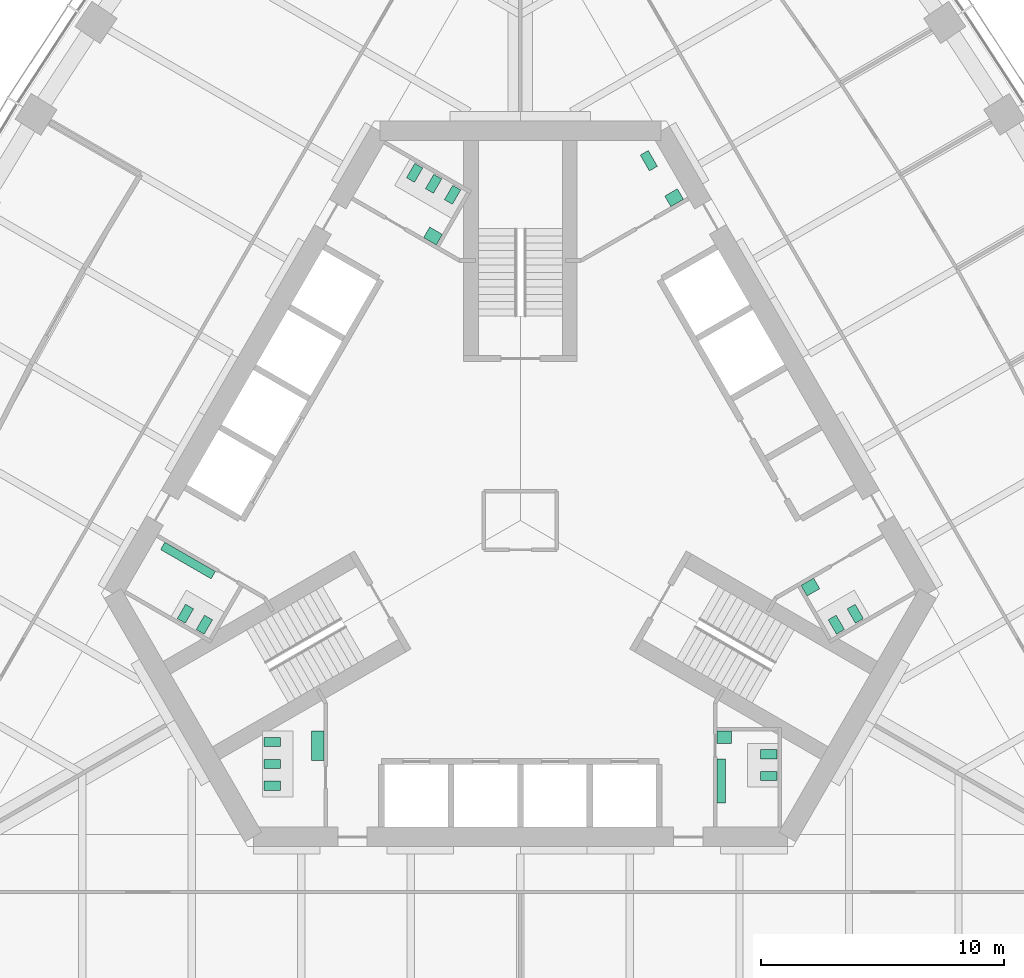
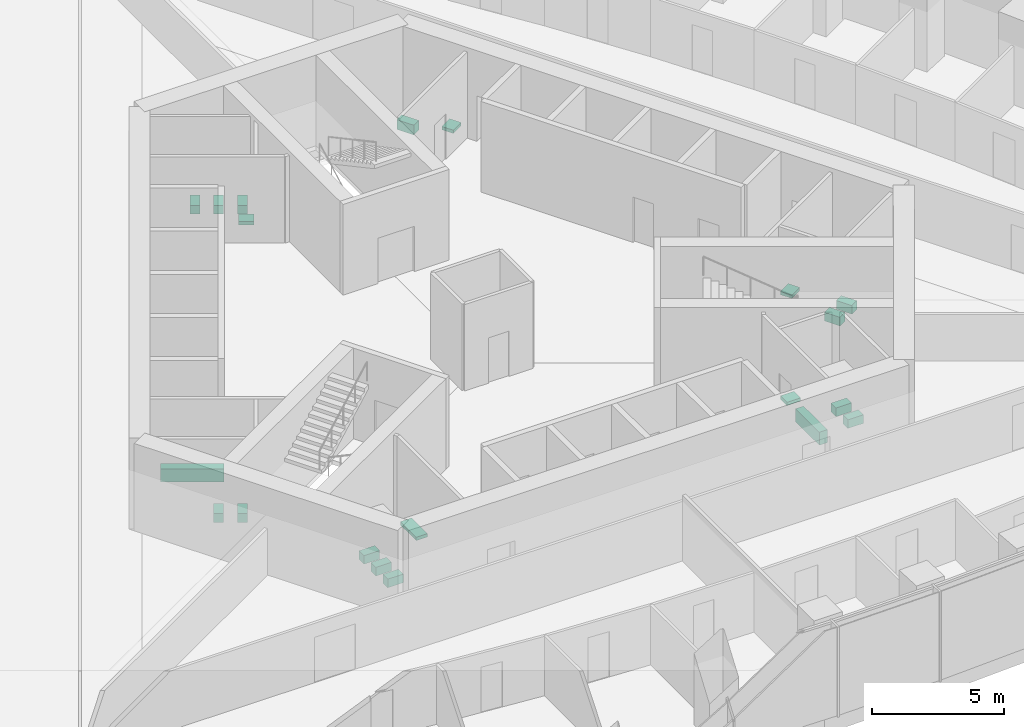
# One storey, part 20 of 21: 20 sanitary terminals.
"""IFC4 building model written with IfcOpenShell, lengths in metres."""

from ifc_helpers import new_model, si_unit, direction, frame, origin, place, context, subcontext, project, spatial, polyline, outline, extrude, material, type_object, element, save


model = new_model("IFC4")

# Units and contexts
model_context = context("Model", 3, precision=1e-05, world=origin(), true_north=direction((0.0, 1.0)))
body_context = subcontext(model_context, "Body", "Model", "MODEL_VIEW")
ifc_project = project(units=[si_unit("LENGTHUNIT", "METRE"), si_unit("AREAUNIT", "SQUARE_METRE"), si_unit("VOLUMEUNIT", "CUBIC_METRE"), si_unit("PLANEANGLEUNIT", "RADIAN"), si_unit("MASSUNIT", "GRAM", prefix="KILO")], contexts=[model_context])

# Site, building, storey
site_placement = place(None, origin())
site = spatial("IfcSite", under=ifc_project, at=site_placement, CompositionType="ELEMENT")
building_placement = place(site_placement, origin())
building = spatial("IfcBuilding", under=site, at=building_placement, Name="Trefoil Bronze Tower", CompositionType="ELEMENT")
storey_placement = place(building_placement, frame((0.0, 0.0, 149.300048828125)))
storey = spatial("IfcBuildingStorey", under=building, at=storey_placement, Name="L34", CompositionType="ELEMENT", Elevation=149.300048828125)

# Sanitary terminals
ifc_material_1 = material(Name="Vitreous china", Category="ceramic")
sanitary_terminal_type_1 = type_object("IfcSanitaryTerminalType", Name="Accessible WC pan", PredefinedType="TOILETPAN", material=ifc_material_1)
sanitary_terminal_1_placement = place(storey_placement, origin())
element("IfcSanitaryTerminal", 1, at=sanitary_terminal_1_placement, inside=storey, type_object=sanitary_terminal_type_1, Name="WC pan 1 Accessible WC L34", PredefinedType="TOILETPAN", context=body_context, shape_type="SweptSolid", body=[
    extrude(outline(polyline([(5.300537109375, 14.359130859375), (4.925537109375, 15.008544921875), (5.254638671875, 15.198486328125), (5.629638671875, 14.549072265625), (5.300537109375, 14.359130859375)])), origin(), (0.0, 0.0, 1.0), 0.449951171875),
])
ifc_material_2 = material(Name="Vitreous china", Category="ceramic")
sanitary_terminal_type_2 = type_object("IfcSanitaryTerminalType", Name="Accessible basin", PredefinedType="WASHHANDBASIN", material=ifc_material_2)
sanitary_terminal_2_placement = place(storey_placement, frame((0.0, 0.0, 0.64990234375)))
element("IfcSanitaryTerminal", 2, at=sanitary_terminal_2_placement, inside=storey, type_object=sanitary_terminal_type_2, Name="Wash basin Accessible WC L34", PredefinedType="WASHHANDBASIN", context=body_context, shape_type="SweptSolid", body=[
    extrude(outline(polyline([(6.181640625, 12.89306640625), (5.931640625, 13.326171875), (6.451171875, 13.626220703125), (6.701171875, 13.193115234375), (6.181640625, 12.89306640625)])), origin(), (0.0, 0.0, 1.0), 0.150146484375),
])
ifc_material_3 = material(Name="Vitreous china", Category="ceramic")
sanitary_terminal_type_3 = type_object("IfcSanitaryTerminalType", Name="Urinal range 3 urinals", PredefinedType="URINAL", material=ifc_material_3)
sanitary_terminal_3_placement = place(storey_placement, frame((0.0, 0.0, 0.39990234375)))
element("IfcSanitaryTerminal", 3, at=sanitary_terminal_3_placement, inside=storey, type_object=sanitary_terminal_type_3, Name="Urinal range WC (men) L34", PredefinedType="URINAL", context=body_context, shape_type="SweptSolid", body=[
    extrude(outline(polyline([(8.074951171875, -9.800048828125), (8.425048828125, -9.800048828125), (8.425048828125, -11.60009765625), (8.074951171875, -11.60009765625), (8.074951171875, -9.800048828125)])), origin(), (0.0, 0.0, 1.0), 0.60009765625),
])
ifc_material_4 = material(Name="Vitreous china", Category="ceramic")
sanitary_terminal_type_4 = type_object("IfcSanitaryTerminalType", Name="Urinal range 4 urinals", PredefinedType="URINAL", material=ifc_material_4)
sanitary_terminal_4_placement = place(storey_placement, frame((0.0, 0.0, 0.39990234375)))
element("IfcSanitaryTerminal", 4, at=sanitary_terminal_4_placement, inside=storey, type_object=sanitary_terminal_type_4, Name="Urinal range WC (men) L34", PredefinedType="URINAL", context=body_context, shape_type="SweptSolid", body=[
    extrude(outline(polyline([(-12.524658203125, -2.09326171875), (-12.699462890625, -2.396240234375), (-14.778076171875, -1.1962890625), (-14.60302734375, -0.89306640625), (-12.524658203125, -2.09326171875)])), origin(), (0.0, 0.0, 1.0), 0.60009765625),
])
ifc_material_5 = material(Name="Solid surface vanity", Category="plastic")
sanitary_terminal_type_5 = type_object("IfcSanitaryTerminalType", Name="Vanity unit 1 basins", PredefinedType="WASHHANDBASIN", material=ifc_material_5)
sanitary_terminal_5_placement = place(storey_placement, frame((0.0, 0.0, 0.75)))
element("IfcSanitaryTerminal", 5, at=sanitary_terminal_5_placement, inside=storey, type_object=sanitary_terminal_type_5, Name="Vanity unit WC (men) L34", PredefinedType="WASHHANDBASIN", context=body_context, shape_type="SweptSolid", body=[
    extrude(outline(polyline([(8.074951171875, -8.64990234375), (8.675048828125, -8.64990234375), (8.675048828125, -9.14990234375), (8.074951171875, -9.14990234375), (8.074951171875, -8.64990234375)])), origin(), (0.0, 0.0, 1.0), 0.14990234375),
])
sanitary_terminal_6_placement = place(storey_placement, frame((0.0, 0.0, 0.75)))
element("IfcSanitaryTerminal", 6, at=sanitary_terminal_6_placement, inside=storey, type_object=sanitary_terminal_type_5, Name="Vanity unit WC (women) L34", PredefinedType="WASHHANDBASIN", context=body_context, shape_type="SweptSolid", body=[
    extrude(outline(polyline([(11.528564453125, -2.668212890625), (11.778564453125, -3.10107421875), (12.29833984375, -2.80126953125), (12.04833984375, -2.3681640625), (11.528564453125, -2.668212890625)])), origin(), (0.0, 0.0, 1.0), 0.14990234375),
])
sanitary_terminal_7_placement = place(storey_placement, frame((0.0, 0.0, 0.75)))
element("IfcSanitaryTerminal", 7, at=sanitary_terminal_7_placement, inside=storey, type_object=sanitary_terminal_type_5, Name="Vanity unit WC (women) L34", PredefinedType="WASHHANDBASIN", context=body_context, shape_type="SweptSolid", body=[
    extrude(outline(polyline([(-3.45361328125, 11.318115234375), (-3.20361328125, 11.751220703125), (-3.72314453125, 12.05126953125), (-3.97314453125, 11.6181640625), (-3.45361328125, 11.318115234375)])), origin(), (0.0, 0.0, 1.0), 0.14990234375),
])
ifc_material_6 = material(Name="Solid surface vanity", Category="plastic")
sanitary_terminal_type_6 = type_object("IfcSanitaryTerminalType", Name="Vanity unit 2 basins", PredefinedType="WASHHANDBASIN", material=ifc_material_6)
sanitary_terminal_8_placement = place(storey_placement, frame((0.0, 0.0, 0.75)))
element("IfcSanitaryTerminal", 8, at=sanitary_terminal_8_placement, inside=storey, type_object=sanitary_terminal_type_6, Name="Vanity unit WC (women) L34", PredefinedType="WASHHANDBASIN", context=body_context, shape_type="SweptSolid", body=[
    extrude(outline(polyline([(-8.074951171875, -8.64990234375), (-8.574951171875, -8.64990234375), (-8.574951171875, -9.85009765625), (-8.074951171875, -9.85009765625), (-8.074951171875, -8.64990234375)])), origin(), (0.0, 0.0, 1.0), 0.14990234375),
])
ifc_material_7 = material(Name="Vitreous china", Category="ceramic")
sanitary_terminal_type_7 = type_object("IfcSanitaryTerminalType", Name="WC pan", PredefinedType="TOILETPAN", material=ifc_material_7)
sanitary_terminal_9_placement = place(storey_placement, origin())
element("IfcSanitaryTerminal", 9, at=sanitary_terminal_9_placement, inside=storey, type_object=sanitary_terminal_type_7, Name="WC pan 1 WC (men) L34", PredefinedType="TOILETPAN", context=body_context, shape_type="SweptSolid", body=[
    extrude(outline(polyline([(9.85498046875, -9.409912109375), (10.534912109375, -9.409912109375), (10.534912109375, -9.7900390625), (9.85498046875, -9.7900390625), (9.85498046875, -9.409912109375)])), origin(), (0.0, 0.0, 1.0), 0.39990234375),
])
sanitary_terminal_10_placement = place(storey_placement, origin())
element("IfcSanitaryTerminal", 10, at=sanitary_terminal_10_placement, inside=storey, type_object=sanitary_terminal_type_7, Name="WC pan 2 WC (men) L34", PredefinedType="TOILETPAN", context=body_context, shape_type="SweptSolid", body=[
    extrude(outline(polyline([(9.85498046875, -10.31005859375), (10.534912109375, -10.31005859375), (10.534912109375, -10.68994140625), (9.85498046875, -10.68994140625), (9.85498046875, -10.31005859375)])), origin(), (0.0, 0.0, 1.0), 0.39990234375),
])
sanitary_terminal_11_placement = place(storey_placement, origin())
element("IfcSanitaryTerminal", 11, at=sanitary_terminal_11_placement, inside=storey, type_object=sanitary_terminal_type_7, Name="WC pan 1 WC (women) L34", PredefinedType="TOILETPAN", context=body_context, shape_type="SweptSolid", body=[
    extrude(outline(polyline([(12.643798828125, -4.07958984375), (12.98388671875, -4.66845703125), (13.31298828125, -4.478515625), (12.972900390625, -3.8896484375), (12.643798828125, -4.07958984375)])), origin(), (0.0, 0.0, 1.0), 0.39990234375),
])
sanitary_terminal_12_placement = place(storey_placement, origin())
element("IfcSanitaryTerminal", 12, at=sanitary_terminal_12_placement, inside=storey, type_object=sanitary_terminal_type_7, Name="WC pan 2 WC (women) L34", PredefinedType="TOILETPAN", context=body_context, shape_type="SweptSolid", body=[
    extrude(outline(polyline([(13.423095703125, -3.629638671875), (13.76318359375, -4.218505859375), (14.09228515625, -4.028564453125), (13.752197265625, -3.439697265625), (13.423095703125, -3.629638671875)])), origin(), (0.0, 0.0, 1.0), 0.39990234375),
])
sanitary_terminal_13_placement = place(storey_placement, origin())
element("IfcSanitaryTerminal", 13, at=sanitary_terminal_13_placement, inside=storey, type_object=sanitary_terminal_type_7, Name="WC pan 1 WC (women) L34", PredefinedType="TOILETPAN", context=body_context, shape_type="SweptSolid", body=[
    extrude(outline(polyline([(-2.788818359375, 12.98974609375), (-2.44873046875, 13.57861328125), (-2.77783203125, 13.7685546875), (-3.117919921875, 13.1796875), (-2.788818359375, 12.98974609375)])), origin(), (0.0, 0.0, 1.0), 0.39990234375),
])
sanitary_terminal_14_placement = place(storey_placement, origin())
element("IfcSanitaryTerminal", 14, at=sanitary_terminal_14_placement, inside=storey, type_object=sanitary_terminal_type_7, Name="WC pan 2 WC (women) L34", PredefinedType="TOILETPAN", context=body_context, shape_type="SweptSolid", body=[
    extrude(outline(polyline([(-3.568115234375, 13.439697265625), (-3.228271484375, 14.028564453125), (-3.557373046875, 14.218505859375), (-3.897216796875, 13.629638671875), (-3.568115234375, 13.439697265625)])), origin(), (0.0, 0.0, 1.0), 0.39990234375),
])
sanitary_terminal_15_placement = place(storey_placement, origin())
element("IfcSanitaryTerminal", 15, at=sanitary_terminal_15_placement, inside=storey, type_object=sanitary_terminal_type_7, Name="WC pan 3 WC (women) L34", PredefinedType="TOILETPAN", context=body_context, shape_type="SweptSolid", body=[
    extrude(outline(polyline([(-4.34765625, 13.8896484375), (-4.007568359375, 14.478515625), (-4.336669921875, 14.66845703125), (-4.6767578125, 14.07958984375), (-4.34765625, 13.8896484375)])), origin(), (0.0, 0.0, 1.0), 0.39990234375),
])
sanitary_terminal_16_placement = place(storey_placement, origin())
element("IfcSanitaryTerminal", 16, at=sanitary_terminal_16_placement, inside=storey, type_object=sanitary_terminal_type_7, Name="WC pan 1 WC (men) L34", PredefinedType="TOILETPAN", context=body_context, shape_type="SweptSolid", body=[
    extrude(outline(polyline([(-12.643798828125, -4.07958984375), (-12.98388671875, -4.66845703125), (-13.31298828125, -4.478515625), (-12.972900390625, -3.8896484375), (-12.643798828125, -4.07958984375)])), origin(), (0.0, 0.0, 1.0), 0.39990234375),
])
sanitary_terminal_17_placement = place(storey_placement, origin())
element("IfcSanitaryTerminal", 17, at=sanitary_terminal_17_placement, inside=storey, type_object=sanitary_terminal_type_7, Name="WC pan 2 WC (men) L34", PredefinedType="TOILETPAN", context=body_context, shape_type="SweptSolid", body=[
    extrude(outline(polyline([(-13.423095703125, -3.629638671875), (-13.76318359375, -4.218505859375), (-14.09228515625, -4.028564453125), (-13.752197265625, -3.439697265625), (-13.423095703125, -3.629638671875)])), origin(), (0.0, 0.0, 1.0), 0.39990234375),
])
sanitary_terminal_18_placement = place(storey_placement, origin())
element("IfcSanitaryTerminal", 18, at=sanitary_terminal_18_placement, inside=storey, type_object=sanitary_terminal_type_7, Name="WC pan 1 WC (women) L34", PredefinedType="TOILETPAN", context=body_context, shape_type="SweptSolid", body=[
    extrude(outline(polyline([(-9.85498046875, -8.909912109375), (-10.534912109375, -8.909912109375), (-10.534912109375, -9.2900390625), (-9.85498046875, -9.2900390625), (-9.85498046875, -8.909912109375)])), origin(), (0.0, 0.0, 1.0), 0.39990234375),
])
sanitary_terminal_19_placement = place(storey_placement, origin())
element("IfcSanitaryTerminal", 19, at=sanitary_terminal_19_placement, inside=storey, type_object=sanitary_terminal_type_7, Name="WC pan 2 WC (women) L34", PredefinedType="TOILETPAN", context=body_context, shape_type="SweptSolid", body=[
    extrude(outline(polyline([(-9.85498046875, -9.81005859375), (-10.534912109375, -9.81005859375), (-10.534912109375, -10.18994140625), (-9.85498046875, -10.18994140625), (-9.85498046875, -9.81005859375)])), origin(), (0.0, 0.0, 1.0), 0.39990234375),
])
sanitary_terminal_20_placement = place(storey_placement, origin())
element("IfcSanitaryTerminal", 20, at=sanitary_terminal_20_placement, inside=storey, type_object=sanitary_terminal_type_7, Name="WC pan 3 WC (women) L34", PredefinedType="TOILETPAN", context=body_context, shape_type="SweptSolid", body=[
    extrude(outline(polyline([(-9.85498046875, -10.7099609375), (-10.534912109375, -10.7099609375), (-10.534912109375, -11.090087890625), (-9.85498046875, -11.090087890625), (-9.85498046875, -10.7099609375)])), origin(), (0.0, 0.0, 1.0), 0.39990234375),
])

save(model, "model.ifc")
